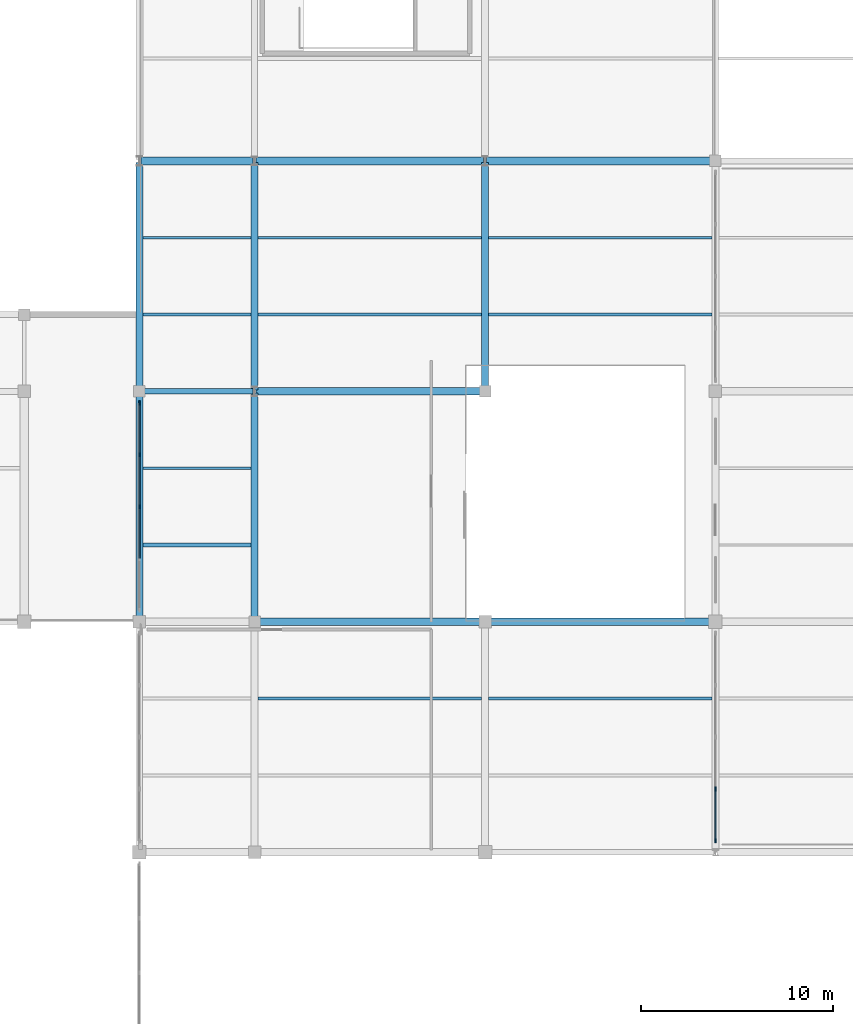
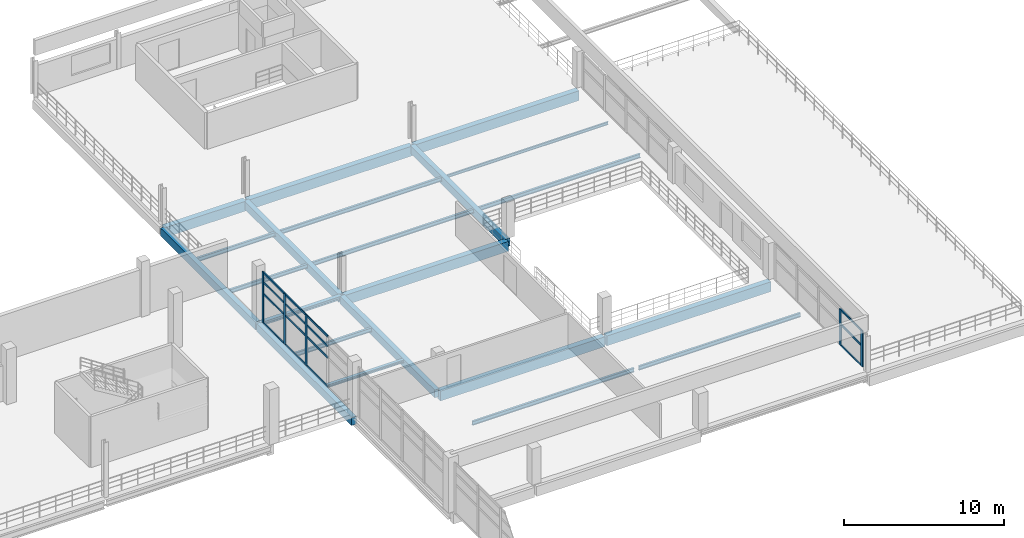
# One storey, part 47 of 89: 22 beams, 20 members, 2 elements without a shape of their own.
"""IFC4 building model written with IfcOpenShell, lengths in metres."""

from ifc_helpers import new_model, si_unit, direction, frame, origin, origin_2d, place, context, subcontext, project, spatial, rectangle, i_section, extrude, material, material_profile, profile_set, type_object, element, aggregate, save


model = new_model("IFC4")

# Units and contexts
model_context = context("Model", 3, precision=1e-05, world=origin(), true_north=direction((0.0, 1.0)))
body_context = subcontext(model_context, "Body", "Model", "MODEL_VIEW")
ifc_project = project(units=[si_unit("LENGTHUNIT", "METRE"), si_unit("AREAUNIT", "SQUARE_METRE"), si_unit("VOLUMEUNIT", "CUBIC_METRE"), si_unit("PLANEANGLEUNIT", "RADIAN"), si_unit("MASSUNIT", "GRAM", prefix="KILO"), si_unit("THERMODYNAMICTEMPERATUREUNIT", "KELVIN"), si_unit("POWERUNIT", "WATT")], contexts=[model_context])

# Site, building, storey
site_placement = place(None, origin())
site = spatial("IfcSite", under=ifc_project, at=site_placement, CompositionType="ELEMENT")
building_placement = place(site_placement, origin())
building = spatial("IfcBuilding", under=site, at=building_placement, Name="Solmara Park Aquatics Centre", CompositionType="ELEMENT")
storey_placement = place(building_placement, frame((0.0, 0.0, 5.39990234375)))
storey = spatial("IfcBuildingStorey", under=building, at=storey_placement, Name="L01", CompositionType="ELEMENT", Elevation=5.39990234375)

# Curtain wall, members
ifc_material_1 = material(Name="Anodised Aluminium Curtain Wall Framing", Category="aluminium")
curtain_wall_type_1 = type_object("IfcCurtainWallType", Name="ARC-CW-SYS03", PredefinedType="USERDEFINED", material=ifc_material_1)
curtain_wall_1_placement = place(storey_placement, origin())
curtain_wall_1 = element("IfcCurtainWall", 1, at=curtain_wall_1_placement, inside=storey, type_object=curtain_wall_type_1, Name="Curtain Wall CW-081", ObjectType="CURTAIN WALL", PredefinedType="USERDEFINED")
ifc_material_2 = material(Name="Anodised Aluminium Alloy 6063-T6", Category="aluminium")
ifc_material_profile_1 = material_profile(ifc_material_2, rectangle(XDim=0.074951171875, YDim=0.219970703125, at=origin_2d()), Name="ALU MULLION 75x220")
ifc_profile_set_1 = profile_set([ifc_material_profile_1], Name="Anodised Aluminium Alloy 6063-T6")
member_type_1 = type_object("IfcMemberType", Name="ARC-CWM-75x220", PredefinedType="MULLION", material=ifc_profile_set_1)
member_1_placement = place(storey_placement, frame((162.0, 42.60009765625, 0.0), z_axis=(0.0, 0.0, 1.0), x_axis=(1.0, 0.0, 0.0)))
member_1 = element("IfcMember", 2, at=member_1_placement, type_object=member_type_1, Name="CW-081 mullion 3", PredefinedType="MULLION", context=body_context, shape_type="SweptSolid", body=[
    extrude(rectangle(XDim=0.074951171875, YDim=0.219970703125, at=origin_2d()), origin(), (0.0, 0.0, 1.0), 3.880126953125),
])
member_2_placement = place(storey_placement, frame((162.0, 45.300048828125, 0.0), z_axis=(0.0, 0.0, 1.0), x_axis=(1.0, 0.0, 0.0)))
member_2 = element("IfcMember", 3, at=member_2_placement, type_object=member_type_1, Name="CW-081 mullion 4", PredefinedType="MULLION", context=body_context, shape_type="SweptSolid", body=[
    extrude(rectangle(XDim=0.074951171875, YDim=0.219970703125, at=origin_2d()), origin(), (0.0, 0.0, 1.0), 3.880126953125),
])
member_3_placement = place(storey_placement, frame((162.0, 48.0, 0.0), z_axis=(0.0, 0.0, 1.0), x_axis=(1.0, 0.0, 0.0)))
member_3 = element("IfcMember", 4, at=member_3_placement, type_object=member_type_1, Name="CW-081 mullion 5", PredefinedType="MULLION", context=body_context, shape_type="SweptSolid", body=[
    extrude(rectangle(XDim=0.074951171875, YDim=0.219970703125, at=origin_2d()), origin(), (0.0, 0.0, 1.0), 3.880126953125),
])

curtain_wall_type_2 = type_object("IfcCurtainWallType", Name="ARC-CW-SYS06", PredefinedType="USERDEFINED", material=ifc_material_1)
curtain_wall_2_placement = place(storey_placement, origin())
curtain_wall_2 = element("IfcCurtainWall", 5, at=curtain_wall_2_placement, inside=storey, type_object=curtain_wall_type_2, Name="Curtain Wall CW-092", ObjectType="CURTAIN WALL", PredefinedType="USERDEFINED")
member_4_placement = place(storey_placement, frame((192.0, 25.199951171875, 0.0), z_axis=(0.0, 0.0, 1.0), x_axis=(1.0, 0.0, 0.0)))
member_4 = element("IfcMember", 6, at=member_4_placement, type_object=member_type_1, Name="CW-092 mullion 1", PredefinedType="MULLION", context=body_context, shape_type="SweptSolid", body=[
    extrude(rectangle(XDim=0.074951171875, YDim=0.219970703125, at=origin_2d()), origin(), (0.0, 0.0, 1.0), 2.75),
])
member_5_placement = place(storey_placement, frame((192.0, 27.89990234375, 0.0), z_axis=(0.0, 0.0, 1.0), x_axis=(1.0, 0.0, 0.0)))
member_5 = element("IfcMember", 7, at=member_5_placement, type_object=member_type_1, Name="CW-092 mullion 2", PredefinedType="MULLION", context=body_context, shape_type="SweptSolid", body=[
    extrude(rectangle(XDim=0.074951171875, YDim=0.219970703125, at=origin_2d()), origin(), (0.0, 0.0, 1.0), 2.75),
])

# Member
ifc_material_profile_2 = material_profile(ifc_material_2, rectangle(XDim=0.074951171875, YDim=0.14990234375, at=origin_2d()), Name="ALU TRANSOM 75x150")
ifc_profile_set_2 = profile_set([ifc_material_profile_2], Name="Anodised Aluminium Alloy 6063-T6")
member_type_2 = type_object("IfcMemberType", Name="ARC-CWT-75x150", PredefinedType="USERDEFINED", material=ifc_profile_set_2)
member_6_placement = place(storey_placement, frame((162.0, 39.919921875, 0.0400390625), z_axis=(0.0, 1.0, 0.0), x_axis=(-1.0, 0.0, 0.0)))
member_6 = element("IfcMember", 8, at=member_6_placement, type_object=member_type_2, Name="CW-081 transom 5", ObjectType="TRANSOM", PredefinedType="USERDEFINED", context=body_context, shape_type="SweptSolid", body=[
    extrude(rectangle(XDim=0.074951171875, YDim=0.14990234375, at=origin_2d()), origin(), (0.0, 0.0, 1.0), 2.6201171875),
])

member_7_placement = place(storey_placement, frame((162.0, 39.919921875, 2.25048828125), z_axis=(0.0, 1.0, 0.0), x_axis=(-1.0, 0.0, 0.0)))
member_7 = element("IfcMember", 9, at=member_7_placement, type_object=member_type_2, Name="CW-081 transom 6", ObjectType="TRANSOM", PredefinedType="USERDEFINED", context=body_context, shape_type="SweptSolid", body=[
    extrude(rectangle(XDim=0.074951171875, YDim=0.14990234375, at=origin_2d()), origin(), (0.0, 0.0, 1.0), 2.6201171875),
])

member_8_placement = place(storey_placement, frame((162.0, 39.919921875, 3.130126953125), z_axis=(0.0, 1.0, 0.0), x_axis=(-1.0, 0.0, 0.0)))
member_8 = element("IfcMember", 10, at=member_8_placement, type_object=member_type_2, Name="CW-081 transom 7", ObjectType="TRANSOM", PredefinedType="USERDEFINED", context=body_context, shape_type="SweptSolid", body=[
    extrude(rectangle(XDim=0.074951171875, YDim=0.14990234375, at=origin_2d()), origin(), (0.0, 0.0, 1.0), 2.6201171875),
])

member_9_placement = place(storey_placement, frame((162.0, 39.919921875, 3.840087890625), z_axis=(0.0, 1.0, 0.0), x_axis=(-1.0, 0.0, 0.0)))
member_9 = element("IfcMember", 11, at=member_9_placement, type_object=member_type_2, Name="CW-081 transom 8", ObjectType="TRANSOM", PredefinedType="USERDEFINED", context=body_context, shape_type="SweptSolid", body=[
    extrude(rectangle(XDim=0.074951171875, YDim=0.14990234375, at=origin_2d()), origin(), (0.0, 0.0, 1.0), 2.6201171875),
])

member_10_placement = place(storey_placement, frame((162.0, 42.6201171875, 0.0400390625), z_axis=(0.0, 1.0, 0.0), x_axis=(-1.0, 0.0, 0.0)))
member_10 = element("IfcMember", 12, at=member_10_placement, type_object=member_type_2, Name="CW-081 transom 9", ObjectType="TRANSOM", PredefinedType="USERDEFINED", context=body_context, shape_type="SweptSolid", body=[
    extrude(rectangle(XDim=0.074951171875, YDim=0.14990234375, at=origin_2d()), origin(), (0.0, 0.0, 1.0), 2.619873046875),
])

member_11_placement = place(storey_placement, frame((162.0, 42.6201171875, 2.25048828125), z_axis=(0.0, 1.0, 0.0), x_axis=(-1.0, 0.0, 0.0)))
member_11 = element("IfcMember", 13, at=member_11_placement, type_object=member_type_2, Name="CW-081 transom 10", ObjectType="TRANSOM", PredefinedType="USERDEFINED", context=body_context, shape_type="SweptSolid", body=[
    extrude(rectangle(XDim=0.074951171875, YDim=0.14990234375, at=origin_2d()), origin(), (0.0, 0.0, 1.0), 2.619873046875),
])

member_12_placement = place(storey_placement, frame((162.0, 42.6201171875, 3.130126953125), z_axis=(0.0, 1.0, 0.0), x_axis=(-1.0, 0.0, 0.0)))
member_12 = element("IfcMember", 14, at=member_12_placement, type_object=member_type_2, Name="CW-081 transom 11", ObjectType="TRANSOM", PredefinedType="USERDEFINED", context=body_context, shape_type="SweptSolid", body=[
    extrude(rectangle(XDim=0.074951171875, YDim=0.14990234375, at=origin_2d()), origin(), (0.0, 0.0, 1.0), 2.619873046875),
])

member_13_placement = place(storey_placement, frame((162.0, 42.6201171875, 3.840087890625), z_axis=(0.0, 1.0, 0.0), x_axis=(-1.0, 0.0, 0.0)))
member_13 = element("IfcMember", 15, at=member_13_placement, type_object=member_type_2, Name="CW-081 transom 12", ObjectType="TRANSOM", PredefinedType="USERDEFINED", context=body_context, shape_type="SweptSolid", body=[
    extrude(rectangle(XDim=0.074951171875, YDim=0.14990234375, at=origin_2d()), origin(), (0.0, 0.0, 1.0), 2.619873046875),
])

member_14_placement = place(storey_placement, frame((162.0, 45.320068359375, 0.0400390625), z_axis=(0.0, 1.0, 0.0), x_axis=(-1.0, 0.0, 0.0)))
member_14 = element("IfcMember", 16, at=member_14_placement, type_object=member_type_2, Name="CW-081 transom 13", ObjectType="TRANSOM", PredefinedType="USERDEFINED", context=body_context, shape_type="SweptSolid", body=[
    extrude(rectangle(XDim=0.074951171875, YDim=0.14990234375, at=origin_2d()), origin(), (0.0, 0.0, 1.0), 2.619873046875),
])

member_15_placement = place(storey_placement, frame((162.0, 45.320068359375, 2.25048828125), z_axis=(0.0, 1.0, 0.0), x_axis=(-1.0, 0.0, 0.0)))
member_15 = element("IfcMember", 17, at=member_15_placement, type_object=member_type_2, Name="CW-081 transom 14", ObjectType="TRANSOM", PredefinedType="USERDEFINED", context=body_context, shape_type="SweptSolid", body=[
    extrude(rectangle(XDim=0.074951171875, YDim=0.14990234375, at=origin_2d()), origin(), (0.0, 0.0, 1.0), 2.619873046875),
])

member_16_placement = place(storey_placement, frame((162.0, 45.320068359375, 3.130126953125), z_axis=(0.0, 1.0, 0.0), x_axis=(-1.0, 0.0, 0.0)))
member_16 = element("IfcMember", 18, at=member_16_placement, type_object=member_type_2, Name="CW-081 transom 15", ObjectType="TRANSOM", PredefinedType="USERDEFINED", context=body_context, shape_type="SweptSolid", body=[
    extrude(rectangle(XDim=0.074951171875, YDim=0.14990234375, at=origin_2d()), origin(), (0.0, 0.0, 1.0), 2.619873046875),
])

member_17_placement = place(storey_placement, frame((162.0, 45.320068359375, 3.840087890625), z_axis=(0.0, 1.0, 0.0), x_axis=(-1.0, 0.0, 0.0)))
member_17 = element("IfcMember", 19, at=member_17_placement, type_object=member_type_2, Name="CW-081 transom 16", ObjectType="TRANSOM", PredefinedType="USERDEFINED", context=body_context, shape_type="SweptSolid", body=[
    extrude(rectangle(XDim=0.074951171875, YDim=0.14990234375, at=origin_2d()), origin(), (0.0, 0.0, 1.0), 2.619873046875),
])

aggregate(curtain_wall_1, [member_1, member_2, member_3, member_6, member_7, member_8, member_9, member_10, member_11, member_12, member_13, member_14, member_15, member_16, member_17])

member_18_placement = place(storey_placement, frame((192.0, 25.219970703125, 0.0400390625), z_axis=(0.0, 1.0, 0.0), x_axis=(-1.0, 0.0, 0.0)))
member_18 = element("IfcMember", 20, at=member_18_placement, type_object=member_type_2, Name="CW-092 transom 1", ObjectType="TRANSOM", PredefinedType="USERDEFINED", context=body_context, shape_type="SweptSolid", body=[
    extrude(rectangle(XDim=0.074951171875, YDim=0.14990234375, at=origin_2d()), origin(), (0.0, 0.0, 1.0), 2.6201171875),
])

member_19_placement = place(storey_placement, frame((192.0, 25.219970703125, 1.59521484375), z_axis=(0.0, 1.0, 0.0), x_axis=(-1.0, 0.0, 0.0)))
member_19 = element("IfcMember", 21, at=member_19_placement, type_object=member_type_2, Name="CW-092 transom 2", ObjectType="TRANSOM", PredefinedType="USERDEFINED", context=body_context, shape_type="SweptSolid", body=[
    extrude(rectangle(XDim=0.074951171875, YDim=0.14990234375, at=origin_2d()), origin(), (0.0, 0.0, 1.0), 2.6201171875),
])

member_20_placement = place(storey_placement, frame((192.0, 25.219970703125, 2.710205078125), z_axis=(0.0, 1.0, 0.0), x_axis=(-1.0, 0.0, 0.0)))
member_20 = element("IfcMember", 22, at=member_20_placement, type_object=member_type_2, Name="CW-092 transom 3", ObjectType="TRANSOM", PredefinedType="USERDEFINED", context=body_context, shape_type="SweptSolid", body=[
    extrude(rectangle(XDim=0.074951171875, YDim=0.14990234375, at=origin_2d()), origin(), (0.0, 0.0, 1.0), 2.6201171875),
])

aggregate(curtain_wall_2, [member_4, member_5, member_18, member_19, member_20])

# Beams
ifc_material_3 = material(Name="Structural Steel S355", Category="steel")
ifc_material_profile_3 = material_profile(ifc_material_3, i_section(OverallWidth=0.280029296875, OverallDepth=0.27001953125, WebThickness=0.008056640625, FlangeThickness=0.012939453125, FilletRadius=0.02392578125, at=origin_2d()), Name="HEA 280")
ifc_profile_set_3 = profile_set([ifc_material_profile_3], Name="Structural Steel S355")
beam_type_1 = type_object("IfcBeamType", Name="STR-BM-HEA280", PredefinedType="BEAM", material=ifc_profile_set_3)
beam_1_placement = place(storey_placement, frame((162.080078125, 48.60009765625, -0.454833984375), z_axis=(1.0, 0.0, 0.0), x_axis=(0.0, 1.0, 0.0)))
element("IfcBeam", 23, at=beam_1_placement, inside=storey, type_object=beam_type_1, Name="Girder BM-L01-0234", PredefinedType="BEAM", context=body_context, shape_type="SweptSolid", body=[
    extrude(i_section(OverallWidth=0.280029296875, OverallDepth=0.27001953125, WebThickness=0.008056640625, FlangeThickness=0.012939453125, FilletRadius=0.02392578125, at=origin_2d()), origin(), (0.0, 0.0, 1.0), 5.83984375),
])
ifc_material_4 = material(Name="Concrete C40/50", Category="concrete")
ifc_material_profile_4 = material_profile(ifc_material_4, rectangle(XDim=0.35009765625, YDim=0.60009765625, at=origin_2d()), Name="RC 350x600")
ifc_profile_set_4 = profile_set([ifc_material_profile_4], Name="Concrete C40/50")
beam_type_2 = type_object("IfcBeamType", Name="STR-BM-RC350x600", PredefinedType="BEAM", material=ifc_profile_set_4)
for number, where, z_axis, x_axis, name in (
    (24, (162.0, 36.679931640625, -0.619873046875), (0.0, 1.0, 0.0), (-1.0, 0.0, 0.0), "Girder BM-L01-0246"),
    (25, (162.0, 48.679931640625, -0.619873046875), (0.0, 1.0, 0.0), (-1.0, 0.0, 0.0), "Girder BM-L01-0247"),
    (26, (168.0, 36.679931640625, -0.619873046875), (0.0, 1.0, 0.0), (-1.0, 0.0, 0.0), "Girder BM-L01-0250"),
    (27, (168.0, 48.679931640625, -0.619873046875), (0.0, 1.0, 0.0), (-1.0, 0.0, 0.0), "Girder BM-L01-0251"),
    (28, (180.0, 48.679931640625, -0.619873046875), (0.0, 1.0, 0.0), (-1.0, 0.0, 0.0), "Girder BM-L01-0254"),
):
    element("IfcBeam", number, at=place(storey_placement, frame(where, z_axis=z_axis, x_axis=x_axis)), inside=storey, type_object=beam_type_2, Name=name, PredefinedType="BEAM", context=body_context, shape_type="SweptSolid", body=[
        extrude(rectangle(XDim=0.35009765625, YDim=0.60009765625, at=origin_2d()), origin(), (0.0, 0.0, 1.0), 11.840087890625),
    ])
ifc_material_profile_5 = material_profile(ifc_material_4, rectangle(XDim=0.39990234375, YDim=0.75, at=origin_2d()), Name="RC 400x750")
ifc_profile_set_5 = profile_set([ifc_material_profile_5], Name="Concrete C40/50")
beam_type_3 = type_object("IfcBeamType", Name="STR-BM-RC400x750", PredefinedType="BEAM", material=ifc_profile_set_5)
for number, where, z_axis, x_axis, name in (
    (29, (168.080078125, 36.60009765625, -0.69482421875), (1.0, 0.0, 0.0), (0.0, 1.0, 0.0), "Girder BM-L01-0231"),
    (30, (180.080078125, 36.60009765625, -0.69482421875), (1.0, 0.0, 0.0), (0.0, 1.0, 0.0), "Girder BM-L01-0232"),
    (31, (168.080078125, 48.60009765625, -0.69482421875), (1.0, 0.0, 0.0), (0.0, 1.0, 0.0), "Girder BM-L01-0235"),
):
    element("IfcBeam", number, at=place(storey_placement, frame(where, z_axis=z_axis, x_axis=x_axis)), inside=storey, type_object=beam_type_3, Name=name, PredefinedType="BEAM", context=body_context, shape_type="SweptSolid", body=[
        extrude(rectangle(XDim=0.39990234375, YDim=0.75, at=origin_2d()), origin(), (0.0, 0.0, 1.0), 11.83984375),
    ])
beam_2_placement = place(storey_placement, frame((162.080078125, 60.60009765625, -0.69482421875), z_axis=(1.0, 0.0, 0.0), x_axis=(0.0, 1.0, 0.0)))
element("IfcBeam", 32, at=beam_2_placement, inside=storey, type_object=beam_type_3, Name="Girder BM-L01-0237", PredefinedType="BEAM", context=body_context, shape_type="SweptSolid", body=[
    extrude(rectangle(XDim=0.39990234375, YDim=0.75, at=origin_2d()), origin(), (0.0, 0.0, 1.0), 5.83984375),
])
for number, where, z_axis, x_axis, name in (
    (33, (168.080078125, 60.60009765625, -0.69482421875), (1.0, 0.0, 0.0), (0.0, 1.0, 0.0), "Girder BM-L01-0238"),
    (34, (180.080078125, 60.60009765625, -0.69482421875), (1.0, 0.0, 0.0), (0.0, 1.0, 0.0), "Girder BM-L01-0239"),
):
    element("IfcBeam", number, at=place(storey_placement, frame(where, z_axis=z_axis, x_axis=x_axis)), inside=storey, type_object=beam_type_3, Name=name, PredefinedType="BEAM", context=body_context, shape_type="SweptSolid", body=[
        extrude(rectangle(XDim=0.39990234375, YDim=0.75, at=origin_2d()), origin(), (0.0, 0.0, 1.0), 11.83984375),
    ])
ifc_material_profile_6 = material_profile(ifc_material_3, i_section(OverallWidth=0.219970703125, OverallDepth=0.2099609375, WebThickness=0.007080078125, FlangeThickness=0.010986328125, FilletRadius=0.01806640625, at=origin_2d()), Name="HEA 220")
ifc_profile_set_6 = profile_set([ifc_material_profile_6], Name="Structural Steel S355")
beam_type_4 = type_object("IfcBeamType", Name="STR-JST-HEA220", PredefinedType="JOIST", material=ifc_profile_set_6)
beam_3_placement = place(storey_placement, frame((162.175048828125, 40.60009765625, -0.4248046875), z_axis=(1.0, 0.0, 0.0), x_axis=(0.0, 1.0, 0.0)))
element("IfcBeam", 35, at=beam_3_placement, inside=storey, type_object=beam_type_4, Name="Floor Joist JST-L01-0134", PredefinedType="JOIST", context=body_context, shape_type="SweptSolid", body=[
    extrude(i_section(OverallWidth=0.219970703125, OverallDepth=0.2099609375, WebThickness=0.007080078125, FlangeThickness=0.010986328125, FilletRadius=0.01806640625, at=origin_2d()), origin(), (0.0, 0.0, 1.0), 5.64990234375),
])
ifc_material_profile_7 = material_profile(ifc_material_3, i_section(OverallWidth=0.110107421875, OverallDepth=0.219970703125, WebThickness=0.005859375, FlangeThickness=0.00927734375, FilletRadius=0.011962890625, at=origin_2d()), Name="IPE 220")
ifc_profile_set_7 = profile_set([ifc_material_profile_7], Name="Structural Steel S355")
beam_type_5 = type_object("IfcBeamType", Name="STR-JST-IPE220", PredefinedType="JOIST", material=ifc_profile_set_7)
beam_4_placement = place(storey_placement, frame((180.175048828125, 56.60009765625, -0.429931640625), z_axis=(1.0, 0.0, 0.0), x_axis=(0.0, 1.0, 0.0)))
element("IfcBeam", 36, at=beam_4_placement, inside=storey, type_object=beam_type_5, Name="Floor Joist JST-L01-0149", PredefinedType="JOIST", context=body_context, shape_type="SweptSolid", body=[
    extrude(i_section(OverallWidth=0.110107421875, OverallDepth=0.219970703125, WebThickness=0.005859375, FlangeThickness=0.00927734375, FilletRadius=0.011962890625, at=origin_2d()), origin(), (0.0, 0.0, 1.0), 11.64990234375),
])
ifc_material_profile_8 = material_profile(ifc_material_3, i_section(OverallWidth=0.14990234375, OverallDepth=0.300048828125, WebThickness=0.007080078125, FlangeThickness=0.0107421875, FilletRadius=0.014892578125, at=origin_2d()), Name="IPE 300")
ifc_profile_set_8 = profile_set([ifc_material_profile_8], Name="Structural Steel S355")
beam_type_6 = type_object("IfcBeamType", Name="STR-JST-IPE300", PredefinedType="JOIST", material=ifc_profile_set_8)
for number, where, z_axis, x_axis, name in (
    (37, (162.175048828125, 44.60009765625, -0.469970703125), (1.0, 0.0, 0.0), (0.0, 1.0, 0.0), "Floor Joist JST-L01-0135"),
    (38, (162.175048828125, 52.60009765625, -0.469970703125), (1.0, 0.0, 0.0), (0.0, 1.0, 0.0), "Floor Joist JST-L01-0136"),
    (39, (162.175048828125, 56.60009765625, -0.469970703125), (1.0, 0.0, 0.0), (0.0, 1.0, 0.0), "Floor Joist JST-L01-0137"),
):
    element("IfcBeam", number, at=place(storey_placement, frame(where, z_axis=z_axis, x_axis=x_axis)), inside=storey, type_object=beam_type_6, Name=name, PredefinedType="JOIST", context=body_context, shape_type="SweptSolid", body=[
        extrude(i_section(OverallWidth=0.14990234375, OverallDepth=0.300048828125, WebThickness=0.007080078125, FlangeThickness=0.0107421875, FilletRadius=0.014892578125, at=origin_2d()), origin(), (0.0, 0.0, 1.0), 5.64990234375),
    ])
for number, where, z_axis, x_axis, name in (
    (40, (168.175048828125, 32.60009765625, -0.469970703125), (1.0, 0.0, 0.0), (0.0, 1.0, 0.0), "Floor Joist JST-L01-0141"),
    (41, (168.175048828125, 52.60009765625, -0.469970703125), (1.0, 0.0, 0.0), (0.0, 1.0, 0.0), "Floor Joist JST-L01-0142"),
    (42, (168.175048828125, 56.60009765625, -0.469970703125), (1.0, 0.0, 0.0), (0.0, 1.0, 0.0), "Floor Joist JST-L01-0143"),
    (43, (180.175048828125, 32.60009765625, -0.469970703125), (1.0, 0.0, 0.0), (0.0, 1.0, 0.0), "Floor Joist JST-L01-0147"),
    (44, (180.175048828125, 52.60009765625, -0.469970703125), (1.0, 0.0, 0.0), (0.0, 1.0, 0.0), "Floor Joist JST-L01-0148"),
):
    element("IfcBeam", number, at=place(storey_placement, frame(where, z_axis=z_axis, x_axis=x_axis)), inside=storey, type_object=beam_type_6, Name=name, PredefinedType="JOIST", context=body_context, shape_type="SweptSolid", body=[
        extrude(i_section(OverallWidth=0.14990234375, OverallDepth=0.300048828125, WebThickness=0.007080078125, FlangeThickness=0.0107421875, FilletRadius=0.014892578125, at=origin_2d()), origin(), (0.0, 0.0, 1.0), 11.64990234375),
    ])

save(model, "model.ifc")
